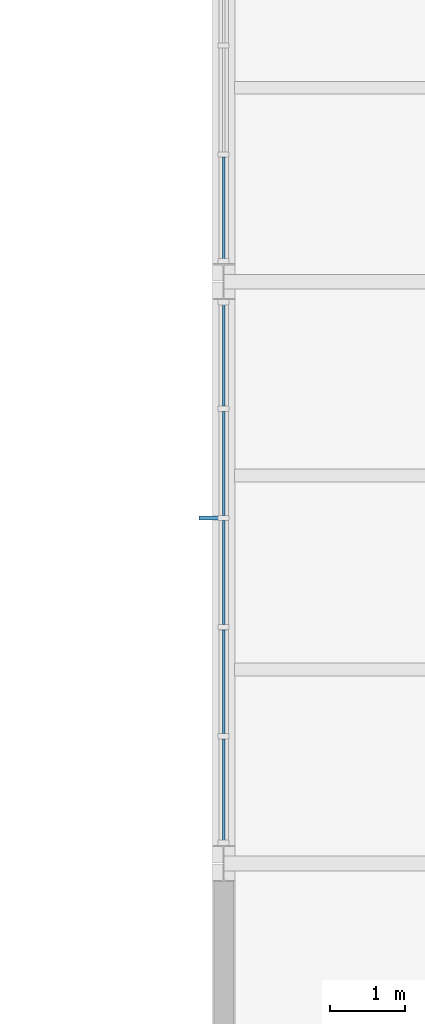
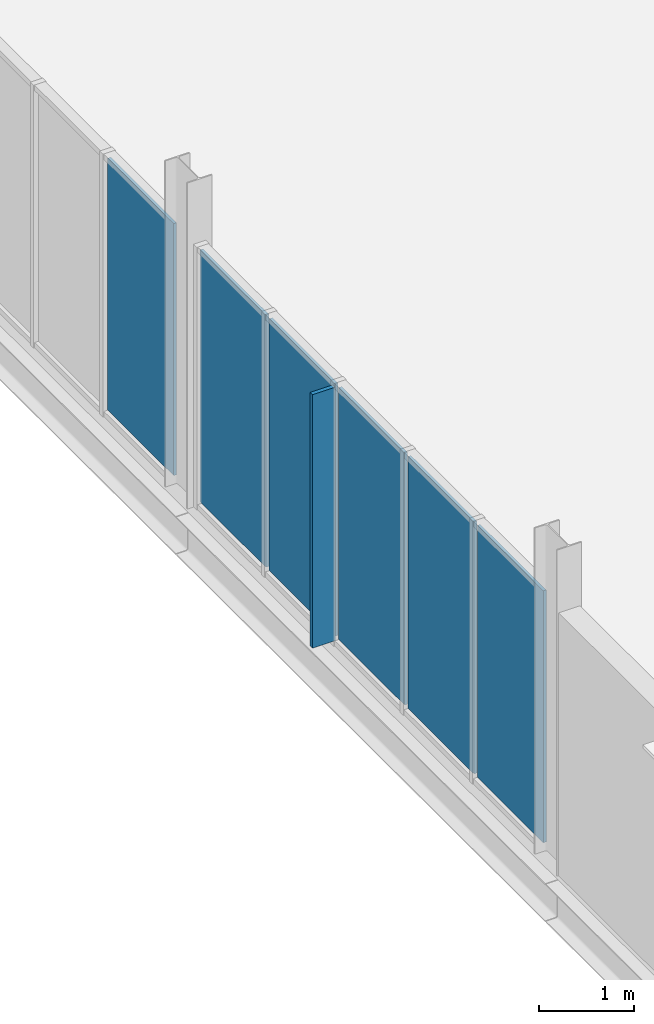
# One storey, part 20 of 45: 7 plates, 2 elements without a shape of their own.
"""IFC4 building model written with IfcOpenShell, lengths in metres."""

from ifc_helpers import new_model, si_unit, direction, frame, origin, origin_2d, place, context, subcontext, project, spatial, rectangle, extrude, material, layer, layer_set, type_object, element, aggregate, save


model = new_model("IFC4")

# Units and contexts
model_context = context("Model", 3, precision=1e-05, world=origin(), true_north=direction((0.0, 1.0)))
body_context = subcontext(model_context, "Body", "Model", "MODEL_VIEW")
ifc_project = project(units=[si_unit("LENGTHUNIT", "METRE"), si_unit("AREAUNIT", "SQUARE_METRE"), si_unit("VOLUMEUNIT", "CUBIC_METRE"), si_unit("PLANEANGLEUNIT", "RADIAN"), si_unit("MASSUNIT", "GRAM", prefix="KILO")], contexts=[model_context])

# Site, building, storey
site_placement = place(None, origin())
site = spatial("IfcSite", under=ifc_project, at=site_placement, CompositionType="ELEMENT")
building_placement = place(site_placement, origin())
building = spatial("IfcBuilding", under=site, at=building_placement, Name="Yukiwa Park Conservatory and Herbarium", CompositionType="ELEMENT")
storey_placement = place(building_placement, frame((0.0, 0.0, 9.0)))
storey = spatial("IfcBuildingStorey", under=building, at=storey_placement, Name="L02", CompositionType="ELEMENT", Elevation=9.0)

# Curtain wall, plate
ifc_material_1 = material(Name="Triple Low-E Insulated Glass", Category="glass")
ifc_layer_1 = layer(ifc_material_1, 0.199951171875)
ifc_layer_set_1 = layer_set([ifc_layer_1], Name="Triple Low-E Insulated Glass")
curtain_wall_type = type_object("IfcCurtainWallType", Name="CW-VISITOR-1600", PredefinedType="NOTDEFINED", material=ifc_layer_set_1)
curtain_wall_1_placement = place(storey_placement, origin())
curtain_wall_1 = element("IfcCurtainWall", 1, at=curtain_wall_1_placement, inside=storey, type_object=curtain_wall_type, Name="L02 unitised curtain wall CW-L02-066", PredefinedType="NOTDEFINED")
ifc_material_2 = material(Name="Triple Low-E Insulated Glass", Category="glass")
ifc_layer_2 = layer(ifc_material_2, 0.035888671875)
ifc_layer_set_2 = layer_set([ifc_layer_2], Name="Triple Low-E Insulated Glass")
plate_type_1 = type_object("IfcPlateType", Name="PL-CW-GLZ-36", PredefinedType="CURTAIN_PANEL", material=ifc_layer_set_2)
plate_1_placement = place(storey_placement, frame((60.0, 63.372802734375, 0.070068359375), z_axis=(0.0, 0.0, 1.0), x_axis=(0.0, -1.0, 0.0)))
plate_1 = element("IfcPlate", 2, at=plate_1_placement, type_object=plate_type_1, Name="CW-L02-066 vision panel 5.1", PredefinedType="CURTAIN_PANEL", context=body_context, shape_type="SweptSolid", body=[
    extrude(rectangle(XDim=1.3935546875, YDim=0.035888671875, at=origin_2d()), origin(), (0.0, 0.0, 1.0), 3.24609375),
])
aggregate(curtain_wall_1, [plate_1])

# Curtain wall, plates
curtain_wall_2_placement = place(storey_placement, origin())
curtain_wall_2 = element("IfcCurtainWall", 3, at=curtain_wall_2_placement, inside=storey, type_object=curtain_wall_type, Name="L02 unitised curtain wall CW-L02-067", PredefinedType="NOTDEFINED")
plate_2_placement = place(storey_placement, frame((60.0, 61.42724609375, 0.070068359375), z_axis=(0.0, 0.0, 1.0), x_axis=(0.0, -1.0, 0.0)))
plate_2 = element("IfcPlate", 4, at=plate_2_placement, type_object=plate_type_1, Name="CW-L02-067 vision panel 1.1", PredefinedType="CURTAIN_PANEL", context=body_context, shape_type="SweptSolid", body=[
    extrude(rectangle(XDim=1.3935546875, YDim=0.035888671875, at=origin_2d()), origin(), (0.0, 0.0, 1.0), 3.24609375),
])
plate_3_placement = place(storey_placement, frame((60.0, 59.963623046875, 0.070068359375), z_axis=(0.0, 0.0, 1.0), x_axis=(0.0, -1.0, 0.0)))
plate_3 = element("IfcPlate", 5, at=plate_3_placement, type_object=plate_type_1, Name="CW-L02-067 vision panel 2.1", PredefinedType="CURTAIN_PANEL", context=body_context, shape_type="SweptSolid", body=[
    extrude(rectangle(XDim=1.3935546875, YDim=0.035888671875, at=origin_2d()), origin(), (0.0, 0.0, 1.0), 3.24609375),
])
plate_4_placement = place(storey_placement, frame((60.0, 58.5, 0.070068359375), z_axis=(0.0, 0.0, 1.0), x_axis=(0.0, -1.0, 0.0)))
plate_4 = element("IfcPlate", 6, at=plate_4_placement, type_object=plate_type_1, Name="CW-L02-067 vision panel 3.1", PredefinedType="CURTAIN_PANEL", context=body_context, shape_type="SweptSolid", body=[
    extrude(rectangle(XDim=1.3935546875, YDim=0.035888671875, at=origin_2d()), origin(), (0.0, 0.0, 1.0), 3.24609375),
])
plate_5_placement = place(storey_placement, frame((60.0, 57.036376953125, 0.070068359375), z_axis=(0.0, 0.0, 1.0), x_axis=(0.0, -1.0, 0.0)))
plate_5 = element("IfcPlate", 7, at=plate_5_placement, type_object=plate_type_1, Name="CW-L02-067 vision panel 4.1", PredefinedType="CURTAIN_PANEL", context=body_context, shape_type="SweptSolid", body=[
    extrude(rectangle(XDim=1.3935546875, YDim=0.035888671875, at=origin_2d()), origin(), (0.0, 0.0, 1.0), 3.24609375),
])
plate_6_placement = place(storey_placement, frame((60.0, 55.57275390625, 0.070068359375), z_axis=(0.0, 0.0, 1.0), x_axis=(0.0, -1.0, 0.0)))
plate_6 = element("IfcPlate", 8, at=plate_6_placement, type_object=plate_type_1, Name="CW-L02-067 vision panel 5.1", PredefinedType="CURTAIN_PANEL", context=body_context, shape_type="SweptSolid", body=[
    extrude(rectangle(XDim=1.3935546875, YDim=0.035888671875, at=origin_2d()), origin(), (0.0, 0.0, 1.0), 3.24609375),
])
aggregate(curtain_wall_2, [plate_2, plate_3, plate_4, plate_5, plate_6])

# Plate
ifc_material_3 = material(Name="Anodised Aluminium", Category="aluminium")
ifc_layer_3 = layer(ifc_material_3, 0.050048828125)
ifc_layer_set_3 = layer_set([ifc_layer_3], Name="Anodised Aluminium")
plate_type_2 = type_object("IfcPlateType", Name="PL-FIN-ALU-50", PredefinedType="USERDEFINED", material=ifc_layer_set_3)
plate_7_placement = place(storey_placement, frame((59.81005859375, 59.231689453125, 0.06005859375), z_axis=(0.0, 0.0, 1.0), x_axis=(0.0, -1.0, 0.0)))
element("IfcPlate", 9, at=plate_7_placement, inside=storey, type_object=plate_type_2, Name="CW-L02-067 exterior vertical shading fin", ObjectType="SHADING FIN", PredefinedType="USERDEFINED", context=body_context, shape_type="SweptSolid", body=[
    extrude(rectangle(XDim=0.050048828125, YDim=0.280029296875, at=origin_2d()), origin(), (0.0, 0.0, 1.0), 3.26611328125),
])

save(model, "model.ifc")
